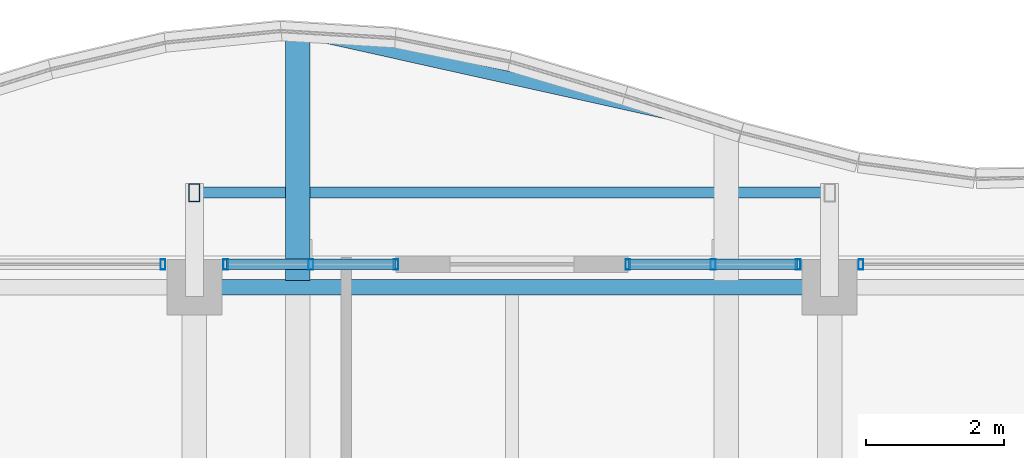
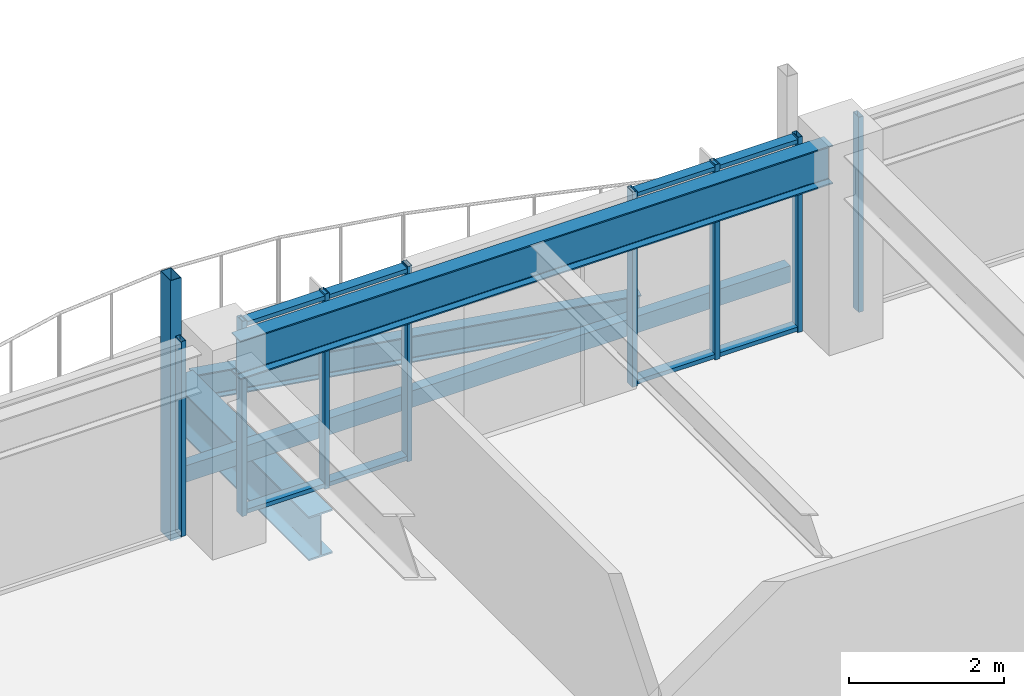
# One storey, part 21 of 38: 14 members, 3 beams, 4 elements without a shape of their own.
"""IFC4 building model written with IfcOpenShell, lengths in metres."""

from ifc_helpers import new_model, si_unit, direction, frame, origin, origin_2d, place, context, subcontext, project, spatial, hollow_rectangle, i_section, extrude, material, material_profile, profile_set, type_object, element, aggregate, save


model = new_model("IFC4")

# Units and contexts
model_context = context("Model", 3, precision=1e-05, world=origin(), true_north=direction((0.0, 1.0)))
body_context = subcontext(model_context, "Body", "Model", "MODEL_VIEW")
ifc_project = project(units=[si_unit("LENGTHUNIT", "METRE"), si_unit("AREAUNIT", "SQUARE_METRE"), si_unit("VOLUMEUNIT", "CUBIC_METRE"), si_unit("PLANEANGLEUNIT", "RADIAN"), si_unit("MASSUNIT", "GRAM", prefix="KILO")], contexts=[model_context])

# Site, building, storey
site_placement = place(None, origin())
site = spatial("IfcSite", under=ifc_project, at=site_placement, CompositionType="ELEMENT")
building_placement = place(site_placement, origin())
building = spatial("IfcBuilding", under=site, at=building_placement, Name="Kolvaren Belvedere", CompositionType="ELEMENT")
storey_placement = place(building_placement, frame((0.0, 0.0, 206.39990234375)))
storey = spatial("IfcBuildingStorey", under=building, at=storey_placement, Name="L60", CompositionType="ELEMENT", Elevation=206.39990234375)

# Beams
ifc_material_1 = material(Name="Structural steel ASTM A992 Grade 50", Category="steel")
ifc_material_profile_1 = material_profile(ifc_material_1, i_section(OverallWidth=0.35498046875, OverallDepth=0.696044921875, WebThickness=0.015380859375, FlangeThickness=0.02490234375, FilletRadius=0.02197265625, at=origin_2d()), Name="W27X146")
ifc_profile_set_1 = profile_set([ifc_material_profile_1], Name="Structural steel ASTM A992 Grade 50")
beam_type_1 = type_object("IfcBeamType", Name="BM-CANT-BAL", PredefinedType="BEAM", material=ifc_profile_set_1)
beam_1_placement = place(storey_placement, frame((-3.10009765625, 20.044921875, -0.56787109375), z_axis=(0.0, 1.0, 0.0), x_axis=(-1.0, 0.0, 0.0)))
element("IfcBeam", 1, at=beam_1_placement, inside=storey, type_object=beam_type_1, Name="L60 Planted Balcony Cantilever BAL-N-1", PredefinedType="BEAM", context=body_context, shape_type="SweptSolid", body=[
    extrude(i_section(OverallWidth=0.35498046875, OverallDepth=0.696044921875, WebThickness=0.015380859375, FlangeThickness=0.02490234375, FilletRadius=0.02197265625, at=origin_2d()), origin(), (0.0, 0.0, 1.0), 3.619140625),
])
ifc_material_2 = material(Name="Structural steel ASTM A992 Grade 50", Category="steel")
ifc_material_profile_2 = material_profile(ifc_material_2, i_section(OverallWidth=0.180908203125, OverallDepth=0.4169921875, WebThickness=0.010986328125, FlangeThickness=0.018310546875, FilletRadius=0.013916015625, at=origin_2d()), Name="W16X57")
ifc_profile_set_2 = profile_set([ifc_material_profile_2], Name="Structural steel ASTM A992 Grade 50")
beam_type_2 = type_object("IfcBeamType", Name="BM-EDGE-W16X57", PredefinedType="BEAM", material=ifc_profile_set_2)
beam_2_placement = place(storey_placement, frame((-2.96337890625, 23.6337890625, -0.428466796875), z_axis=(0.976133101582, -0.217173129084, 0.0), x_axis=(0.217173129084, 0.976133101582, 0.0)))
element("IfcBeam", 2, at=beam_2_placement, inside=storey, type_object=beam_type_2, Name="L60 Balcony Tip Header Beam BAL-N", PredefinedType="BEAM", context=body_context, shape_type="SweptSolid", body=[
    extrude(i_section(OverallWidth=0.180908203125, OverallDepth=0.4169921875, WebThickness=0.010986328125, FlangeThickness=0.018310546875, FilletRadius=0.013916015625, at=origin_2d()), origin(), (0.0, 0.0, 1.0), 6.07177734375),
])
ifc_material_3 = material(Name="Structural steel ASTM A992 Grade 50", Category="steel")
ifc_material_profile_3 = material_profile(ifc_material_3, i_section(OverallWidth=0.22900390625, OverallDepth=0.612060546875, WebThickness=0.011962890625, FlangeThickness=0.01953125, FilletRadius=0.01806640625, at=origin_2d()), Name="W24X84")
ifc_profile_set_3 = profile_set([ifc_material_profile_3], Name="Structural steel ASTM A992 Grade 50")
beam_type_3 = type_object("IfcBeamType", Name="BM-SPAN-W24X84", PredefinedType="SPANDREL", material=ifc_profile_set_3)
beam_3_placement = place(storey_placement, frame((4.419921875, 19.949951171875, 2.774169921875), z_axis=(-1.0, 0.0, 0.0), x_axis=(0.0, -1.0, 0.0)))
element("IfcBeam", 3, at=beam_3_placement, inside=storey, type_object=beam_type_3, Name="L60 Perimeter Spandrel N3-N2", PredefinedType="SPANDREL", context=body_context, shape_type="SweptSolid", body=[
    extrude(i_section(OverallWidth=0.22900390625, OverallDepth=0.612060546875, WebThickness=0.011962890625, FlangeThickness=0.01953125, FilletRadius=0.01806640625, at=origin_2d()), origin(), (0.0, 0.0, 1.0), 8.83984375),
])

# Curtain wall, member
ifc_material_4 = material(Name="Anodised pale-metal aluminium AA 6063-T6", Category="aluminium")
curtain_wall_type = type_object("IfcCurtainWallType", Name="CW-Z5-HIGH", PredefinedType="NOTDEFINED", material=ifc_material_4)
curtain_wall_1_placement = place(storey_placement, origin())
curtain_wall_1 = element("IfcCurtainWall", 4, at=curtain_wall_1_placement, inside=storey, type_object=curtain_wall_type, Name="L60 Unitised Curtain Wall FCW-L60-N1-B1", PredefinedType="NOTDEFINED")
ifc_material_5 = material(Name="Anodised pale-metal aluminium AA 6063-T6", Category="aluminium")
ifc_material_profile_4 = material_profile(ifc_material_5, hollow_rectangle(XDim=0.070068359375, YDim=0.14990234375, WallThickness=0.004150390625, at=origin_2d()), Name="ALU-MUL-150X70")
ifc_profile_set_4 = profile_set([ifc_material_profile_4], Name="Anodised pale-metal aluminium AA 6063-T6")
member_type_1 = type_object("IfcMemberType", Name="CW-MUL-150", PredefinedType="MULLION", material=ifc_profile_set_4)
member_1_placement = place(storey_placement, frame((-5.054931640625, 20.280029296875, 0.0), z_axis=(0.0, 0.0, 1.0), x_axis=(1.0, 0.0, 0.0)))
member_1 = element("IfcMember", 5, at=member_1_placement, type_object=member_type_1, Name="FCW-L60-N1-B1 Unitised Mullion 3", PredefinedType="MULLION", context=body_context, shape_type="SweptSolid", body=[
    extrude(hollow_rectangle(XDim=0.070068359375, YDim=0.14990234375, WallThickness=0.004150390625, at=origin_2d()), origin(), (0.0, 0.0, 1.0), 3.080078125),
])
aggregate(curtain_wall_1, [member_1])

# Curtain wall, members
curtain_wall_2_placement = place(storey_placement, origin())
curtain_wall_2 = element("IfcCurtainWall", 6, at=curtain_wall_2_placement, inside=storey, type_object=curtain_wall_type, Name="L60 Unitised Curtain Wall FCW-L60-N1-B2", PredefinedType="NOTDEFINED")
member_2_placement = place(storey_placement, frame((-4.14501953125, 20.280029296875, 0.0), z_axis=(0.0, 0.0, 1.0), x_axis=(1.0, 0.0, 0.0)))
member_2 = element("IfcMember", 7, at=member_2_placement, type_object=member_type_1, Name="FCW-L60-N1-B2 Unitised Mullion 1", PredefinedType="MULLION", context=body_context, shape_type="SweptSolid", body=[
    extrude(hollow_rectangle(XDim=0.070068359375, YDim=0.14990234375, WallThickness=0.004150390625, at=origin_2d()), origin(), (0.0, 0.0, 1.0), 3.080078125),
])
member_3_placement = place(storey_placement, frame((-2.91259765625, 20.280029296875, 0.0), z_axis=(0.0, 0.0, 1.0), x_axis=(1.0, 0.0, 0.0)))
member_3 = element("IfcMember", 8, at=member_3_placement, type_object=member_type_1, Name="FCW-L60-N1-B2 Unitised Mullion 2", PredefinedType="MULLION", context=body_context, shape_type="SweptSolid", body=[
    extrude(hollow_rectangle(XDim=0.070068359375, YDim=0.14990234375, WallThickness=0.004150390625, at=origin_2d()), origin(), (0.0, 0.0, 1.0), 3.080078125),
])
member_4_placement = place(storey_placement, frame((-1.679931640625, 20.280029296875, 0.0), z_axis=(0.0, 0.0, 1.0), x_axis=(1.0, 0.0, 0.0)))
member_4 = element("IfcMember", 9, at=member_4_placement, type_object=member_type_1, Name="FCW-L60-N1-B2 Unitised Mullion 3", PredefinedType="MULLION", context=body_context, shape_type="SweptSolid", body=[
    extrude(hollow_rectangle(XDim=0.070068359375, YDim=0.14990234375, WallThickness=0.004150390625, at=origin_2d()), origin(), (0.0, 0.0, 1.0), 3.080078125),
])

curtain_wall_3_placement = place(storey_placement, origin())
curtain_wall_3 = element("IfcCurtainWall", 10, at=curtain_wall_3_placement, inside=storey, type_object=curtain_wall_type, Name="L60 Unitised Curtain Wall FCW-L60-N2-B1", PredefinedType="NOTDEFINED")
member_5_placement = place(storey_placement, frame((1.679931640625, 20.280029296875, 0.0), z_axis=(0.0, 0.0, 1.0), x_axis=(1.0, 0.0, 0.0)))
member_5 = element("IfcMember", 11, at=member_5_placement, type_object=member_type_1, Name="FCW-L60-N2-B1 Unitised Mullion 1", PredefinedType="MULLION", context=body_context, shape_type="SweptSolid", body=[
    extrude(hollow_rectangle(XDim=0.070068359375, YDim=0.14990234375, WallThickness=0.004150390625, at=origin_2d()), origin(), (0.0, 0.0, 1.0), 3.080078125),
])
member_6_placement = place(storey_placement, frame((2.91259765625, 20.280029296875, 0.0), z_axis=(0.0, 0.0, 1.0), x_axis=(1.0, 0.0, 0.0)))
member_6 = element("IfcMember", 12, at=member_6_placement, type_object=member_type_1, Name="FCW-L60-N2-B1 Unitised Mullion 2", PredefinedType="MULLION", context=body_context, shape_type="SweptSolid", body=[
    extrude(hollow_rectangle(XDim=0.070068359375, YDim=0.14990234375, WallThickness=0.004150390625, at=origin_2d()), origin(), (0.0, 0.0, 1.0), 3.080078125),
])
member_7_placement = place(storey_placement, frame((4.14501953125, 20.280029296875, 0.0), z_axis=(0.0, 0.0, 1.0), x_axis=(1.0, 0.0, 0.0)))
member_7 = element("IfcMember", 13, at=member_7_placement, type_object=member_type_1, Name="FCW-L60-N2-B1 Unitised Mullion 3", PredefinedType="MULLION", context=body_context, shape_type="SweptSolid", body=[
    extrude(hollow_rectangle(XDim=0.070068359375, YDim=0.14990234375, WallThickness=0.004150390625, at=origin_2d()), origin(), (0.0, 0.0, 1.0), 3.080078125),
])

# Curtain wall, member
curtain_wall_4_placement = place(storey_placement, origin())
curtain_wall_4 = element("IfcCurtainWall", 14, at=curtain_wall_4_placement, inside=storey, type_object=curtain_wall_type, Name="L60 Unitised Curtain Wall FCW-L60-N2-B2", PredefinedType="NOTDEFINED")
member_8_placement = place(storey_placement, frame((5.054931640625, 20.280029296875, 0.0), z_axis=(0.0, 0.0, 1.0), x_axis=(1.0, 0.0, 0.0)))
member_8 = element("IfcMember", 15, at=member_8_placement, type_object=member_type_1, Name="FCW-L60-N2-B2 Unitised Mullion 1", PredefinedType="MULLION", context=body_context, shape_type="SweptSolid", body=[
    extrude(hollow_rectangle(XDim=0.070068359375, YDim=0.14990234375, WallThickness=0.004150390625, at=origin_2d()), origin(), (0.0, 0.0, 1.0), 3.080078125),
])
aggregate(curtain_wall_4, [member_8])

# Member
ifc_material_6 = material(Name="Anodised pale-metal aluminium AA 6063-T6", Category="aluminium")
ifc_material_profile_5 = material_profile(ifc_material_6, hollow_rectangle(XDim=0.06494140625, YDim=0.14990234375, WallThickness=0.00390625, at=origin_2d()), Name="ALU-TRN-150X65")
ifc_profile_set_5 = profile_set([ifc_material_profile_5], Name="Anodised pale-metal aluminium AA 6063-T6")
member_type_2 = type_object("IfcMemberType", Name="CW-TRN-150", PredefinedType="USERDEFINED", material=ifc_profile_set_5)
member_9_placement = place(storey_placement, frame((-4.14501953125, 20.280029296875, 0.06005859375), z_axis=(1.0, 0.0, 0.0), x_axis=(0.0, 0.0, 1.0)))
member_9 = element("IfcMember", 16, at=member_9_placement, type_object=member_type_2, Name="FCW-L60-N1-B2 Sill Transom", ObjectType="TRANSOM", PredefinedType="USERDEFINED", context=body_context, shape_type="SweptSolid", body=[
    extrude(hollow_rectangle(XDim=0.06494140625, YDim=0.14990234375, WallThickness=0.00390625, at=origin_2d()), origin(), (0.0, 0.0, 1.0), 2.465087890625),
])

member_10_placement = place(storey_placement, frame((-4.14501953125, 20.280029296875, 3.02001953125), z_axis=(1.0, 0.0, 0.0), x_axis=(0.0, 0.0, 1.0)))
member_10 = element("IfcMember", 17, at=member_10_placement, type_object=member_type_2, Name="FCW-L60-N1-B2 Head Transom", ObjectType="TRANSOM", PredefinedType="USERDEFINED", context=body_context, shape_type="SweptSolid", body=[
    extrude(hollow_rectangle(XDim=0.06494140625, YDim=0.14990234375, WallThickness=0.00390625, at=origin_2d()), origin(), (0.0, 0.0, 1.0), 2.465087890625),
])

aggregate(curtain_wall_2, [member_2, member_3, member_4, member_9, member_10])

member_11_placement = place(storey_placement, frame((1.679931640625, 20.280029296875, 0.06005859375), z_axis=(1.0, 0.0, 0.0), x_axis=(0.0, 0.0, 1.0)))
member_11 = element("IfcMember", 18, at=member_11_placement, type_object=member_type_2, Name="FCW-L60-N2-B1 Sill Transom", ObjectType="TRANSOM", PredefinedType="USERDEFINED", context=body_context, shape_type="SweptSolid", body=[
    extrude(hollow_rectangle(XDim=0.06494140625, YDim=0.14990234375, WallThickness=0.00390625, at=origin_2d()), origin(), (0.0, 0.0, 1.0), 2.465087890625),
])

member_12_placement = place(storey_placement, frame((1.679931640625, 20.280029296875, 3.02001953125), z_axis=(1.0, 0.0, 0.0), x_axis=(0.0, 0.0, 1.0)))
member_12 = element("IfcMember", 19, at=member_12_placement, type_object=member_type_2, Name="FCW-L60-N2-B1 Head Transom", ObjectType="TRANSOM", PredefinedType="USERDEFINED", context=body_context, shape_type="SweptSolid", body=[
    extrude(hollow_rectangle(XDim=0.06494140625, YDim=0.14990234375, WallThickness=0.00390625, at=origin_2d()), origin(), (0.0, 0.0, 1.0), 2.465087890625),
])

aggregate(curtain_wall_3, [member_5, member_6, member_7, member_11, member_12])

# Members
ifc_material_7 = material(Name="Anodised pale-metal aluminium AA 6063-T6", Category="aluminium")
ifc_material_profile_6 = material_profile(ifc_material_7, hollow_rectangle(XDim=0.159912109375, YDim=0.260009765625, WallThickness=0.006591796875, at=origin_2d()), Name="ALU-PF-260X160")
ifc_profile_set_6 = profile_set([ifc_material_profile_6], Name="Anodised pale-metal aluminium AA 6063-T6")
member_type_3 = type_object("IfcMemberType", Name="PF-FRAME-260", PredefinedType="USERDEFINED", material=ifc_profile_set_6)
member_13_placement = place(storey_placement, frame((-4.60009765625, 21.320068359375, -0.809814453125), z_axis=(0.0, 0.0, 1.0), x_axis=(1.0, 0.0, 0.0)))
element("IfcMember", 20, at=member_13_placement, inside=storey, type_object=member_type_3, Name="L60 Outboard Picture-Frame Vertical N1", ObjectType="PICTURE FRAME FIN", PredefinedType="USERDEFINED", context=body_context, shape_type="SweptSolid", body=[
    extrude(hollow_rectangle(XDim=0.159912109375, YDim=0.260009765625, WallThickness=0.006591796875, at=origin_2d()), origin(), (0.0, 0.0, 1.0), 4.10986328125),
])
member_14_placement = place(storey_placement, frame((-4.60009765625, 21.320068359375, 0.130126953125), z_axis=(1.0, 0.0, 0.0), x_axis=(0.0, 1.0, 0.0)))
element("IfcMember", 21, at=member_14_placement, inside=storey, type_object=member_type_3, Name="L60 Outboard Picture-Frame Sill N", ObjectType="PICTURE FRAME FIN", PredefinedType="USERDEFINED", context=body_context, shape_type="SweptSolid", body=[
    extrude(hollow_rectangle(XDim=0.159912109375, YDim=0.260009765625, WallThickness=0.006591796875, at=origin_2d()), origin(), (0.0, 0.0, 1.0), 9.2001953125),
])

save(model, "model.ifc")
